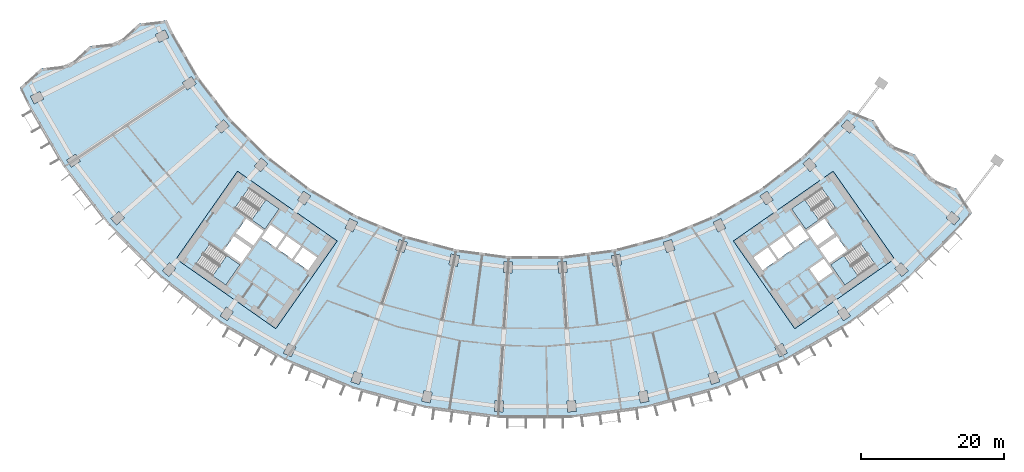
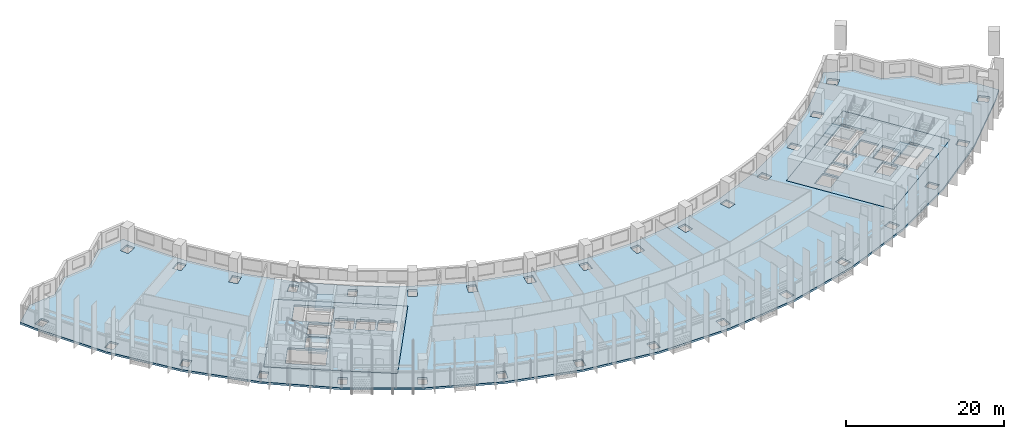
# One storey, part 2 of 30: 7 slabs, 4 elements without a shape of their own.
"""IFC4 building model written with IfcOpenShell, lengths in metres."""

from ifc_helpers import new_model, si_unit, direction, frame, origin, place, context, subcontext, project, spatial, polyline, outline, extrude, material, layer, layer_set, type_object, element, aggregate, save


model = new_model("IFC4")

# Units and contexts
model_context = context("Model", 3, precision=1e-05, world=origin(), true_north=direction((0.0, 1.0)))
body_context = subcontext(model_context, "Body", "Model", "MODEL_VIEW")
ifc_project = project(units=[si_unit("LENGTHUNIT", "METRE"), si_unit("AREAUNIT", "SQUARE_METRE"), si_unit("VOLUMEUNIT", "CUBIC_METRE"), si_unit("PLANEANGLEUNIT", "RADIAN"), si_unit("MASSUNIT", "GRAM", prefix="KILO")], contexts=[model_context])

# Site, building, storey
site_placement = place(None, origin())
site = spatial("IfcSite", under=ifc_project, at=site_placement, CompositionType="ELEMENT")
building_placement = place(site_placement, origin())
building = spatial("IfcBuilding", under=site, at=building_placement, Name="Qamariyya Broadcast Tower", CompositionType="ELEMENT")
storey_placement = place(building_placement, frame((0.0, 0.0, 110.10009765625)))
storey = spatial("IfcBuildingStorey", under=building, at=storey_placement, Name="L24", CompositionType="ELEMENT", Elevation=110.10009765625)

# Slabs
ifc_material_1 = material(Name="Concrete C40/50", Category="concrete")
ifc_layer_1 = layer(ifc_material_1, 0.300048828125)
ifc_layer_set_1 = layer_set([ifc_layer_1], Name="Core floor slab 300 mm Concrete C40/50")
slab_type_1 = type_object("IfcSlabType", Name="Core floor slab 300 mm Concrete C40/50", PredefinedType="FLOOR", material=ifc_layer_set_1)
slab_1_placement = place(storey_placement, frame((0.0, 0.0, -0.300048828125)))
element("IfcSlab", 1, at=slab_1_placement, inside=storey, type_object=slab_type_1, Name="k-W-L24-slab", PredefinedType="FLOOR", context=body_context, shape_type="SweptSolid", body=[
    extrude(outline(polyline([(-50.286376953125, -56.95751953125), (-36.32373046875, -66.734375), (-27.719970703125, -54.447021484375), (-41.6826171875, -44.67041015625), (-50.286376953125, -56.95751953125)]), holes=[polyline([(-31.80859375, -58.542724609375), (-33.8154296875, -57.137451171875), (-32.5537109375, -55.335205078125), (-30.546630859375, -56.740478515625), (-31.80859375, -58.542724609375)]), polyline([(-34.061279296875, -56.96533203125), (-36.068115234375, -55.56005859375), (-34.806396484375, -53.758056640625), (-32.79931640625, -55.163330078125), (-34.061279296875, -56.96533203125)]), polyline([(-36.31396484375, -55.387939453125), (-38.32080078125, -53.982666015625), (-37.058837890625, -52.1806640625), (-35.052001953125, -53.5859375), (-36.31396484375, -55.387939453125)]), polyline([(-39.742431640625, -55.489990234375), (-42.199951171875, -53.769287109375), (-43.6337890625, -55.817138671875), (-41.17626953125, -57.537841796875), (-39.742431640625, -55.489990234375)]), polyline([(-39.45556640625, -55.080322265625), (-41.9130859375, -53.359619140625), (-40.47900390625, -51.311767578125), (-38.021728515625, -53.032470703125), (-39.45556640625, -55.080322265625)]), polyline([(-42.06103515625, -49.837890625), (-37.849609375, -52.78662109375), (-35.870849609375, -49.960693359375), (-40.082275390625, -47.01171875), (-42.06103515625, -49.837890625)]), polyline([(-47.538818359375, -57.66064453125), (-43.3271484375, -60.609619140625), (-41.348388671875, -57.783447265625), (-45.559814453125, -54.834716796875), (-47.538818359375, -57.66064453125)])]), origin(), (0.0, 0.0, 1.0), 0.300048828125),
])
slab_2_placement = place(storey_placement, frame((0.0, 0.0, -0.300048828125)))
element("IfcSlab", 2, at=slab_2_placement, inside=storey, type_object=slab_type_1, Name="k-E-L24-slab", PredefinedType="FLOOR", context=body_context, shape_type="SweptSolid", body=[
    extrude(outline(polyline([(36.32373046875, -66.734375), (50.286376953125, -56.95751953125), (41.6826171875, -44.67041015625), (27.719970703125, -54.447021484375), (36.32373046875, -66.734375)]), holes=[polyline([(31.80859375, -58.542724609375), (33.8154296875, -57.137451171875), (32.5537109375, -55.335205078125), (30.546630859375, -56.740478515625), (31.80859375, -58.542724609375)]), polyline([(34.061279296875, -56.96533203125), (36.068115234375, -55.56005859375), (34.806396484375, -53.758056640625), (32.79931640625, -55.163330078125), (34.061279296875, -56.96533203125)]), polyline([(36.31396484375, -55.387939453125), (38.32080078125, -53.982666015625), (37.058837890625, -52.1806640625), (35.052001953125, -53.5859375), (36.31396484375, -55.387939453125)]), polyline([(38.378662109375, -58.3369140625), (40.3857421875, -56.931640625), (41.6474609375, -58.73388671875), (39.640625, -60.13916015625), (38.378662109375, -58.3369140625)]), polyline([(39.742431640625, -55.489990234375), (42.199951171875, -53.769287109375), (43.6337890625, -55.817138671875), (41.17626953125, -57.537841796875), (39.742431640625, -55.489990234375)]), polyline([(39.45556640625, -55.080322265625), (41.9130859375, -53.359619140625), (40.47900390625, -51.311767578125), (38.021728515625, -53.032470703125), (39.45556640625, -55.080322265625)]), polyline([(40.082275390625, -47.01171875), (35.870849609375, -49.960693359375), (37.849609375, -52.78662109375), (42.06103515625, -49.837890625), (40.082275390625, -47.01171875)]), polyline([(45.559814453125, -54.834716796875), (41.348388671875, -57.783447265625), (43.3271484375, -60.609619140625), (47.538818359375, -57.66064453125), (45.559814453125, -54.834716796875)])]), origin(), (0.0, 0.0, 1.0), 0.300048828125),
])
ifc_layer_2 = layer(ifc_material_1, 0.300048828125)
ifc_layer_set_2 = layer_set([ifc_layer_2], Name="Post-tensioned floor slab 300 C40/50")
slab_type_2 = type_object("IfcSlabType", Name="Post-tensioned floor slab 300 C40/50", PredefinedType="FLOOR", material=ifc_layer_set_2)
slab_3_placement = place(storey_placement, frame((0.0, 0.0, -0.300048828125)))
element("IfcSlab", 3, at=slab_3_placement, inside=storey, type_object=slab_type_2, Name="Floor slab S4 L24", PredefinedType="FLOOR", context=body_context, shape_type="SweptSolid", body=[
    extrude(outline(polyline([(-69.19775390625, -30.281005859375), (-72.13427734375, -32.941162109375), (-71.1220703125, -35.073486328125), (-65.935546875, -44.056640625), (-59.620849609375, -52.2861328125), (-52.2861328125, -59.620849609375), (-44.056640625, -65.935546875), (-35.073486328125, -71.1220703125), (-25.490234375, -75.091552734375), (-15.470703125, -77.7763671875), (-5.1865234375, -79.130126953125), (5.1865234375, -79.130126953125), (15.470703125, -77.7763671875), (25.490234375, -75.091552734375), (35.073486328125, -71.1220703125), (44.056640625, -65.935546875), (52.2861328125, -59.620849609375), (59.620849609375, -52.2861328125), (61.150634765625, -50.488525390625), (59.002685546875, -47.158935546875), (55.341552734375, -45.692138671875), (53.192626953125, -42.362060546875), (49.5322265625, -40.895751953125), (47.382568359375, -37.56494140625), (43.72314453125, -36.099609375), (42.62939453125, -37.385009765625), (37.385009765625, -42.62939453125), (31.500732421875, -47.144287109375), (25.077880859375, -50.852783203125), (18.2255859375, -53.69091796875), (11.0615234375, -55.610595703125), (3.708251953125, -56.57861328125), (-3.708251953125, -56.57861328125), (-11.0615234375, -55.610595703125), (-18.2255859375, -53.69091796875), (-25.077880859375, -50.852783203125), (-31.500732421875, -47.144287109375), (-37.385009765625, -42.62939453125), (-42.62939453125, -37.385009765625), (-47.144287109375, -31.500732421875), (-50.852783203125, -25.077880859375), (-51.57666015625, -23.55322265625), (-55.490478515625, -24.021240234375), (-58.42919921875, -26.682373046875), (-62.34423828125, -27.151123046875), (-65.28173828125, -29.811767578125), (-69.19775390625, -30.281005859375)]), holes=[polyline([(-5.73291015625, -78.292724609375), (-5.634765625, -76.7958984375), (-4.437255859375, -76.874267578125), (-4.535400390625, -78.37109375), (-5.73291015625, -78.292724609375)]), polyline([(-15.903076171875, -76.87451171875), (-15.6103515625, -75.4033203125), (-14.43359375, -75.637451171875), (-14.72607421875, -77.108642578125), (-15.903076171875, -76.87451171875)]), polyline([(-25.80126953125, -74.14111328125), (-25.319091796875, -72.720703125), (-24.1826171875, -73.1064453125), (-24.664794921875, -74.52685546875), (-25.80126953125, -74.14111328125)]), polyline([(-35.2578125, -70.13916015625), (-34.59423828125, -68.7939453125), (-33.51806640625, -69.324462890625), (-34.181640625, -70.669921875), (-35.2578125, -70.13916015625)]), polyline([(-44.111083984375, -64.93701171875), (-43.27783203125, -63.689697265625), (-42.280029296875, -64.3564453125), (-43.11328125, -65.603759765625), (-44.111083984375, -64.93701171875)]), polyline([(-52.209716796875, -58.623779296875), (-51.220703125, -57.49609375), (-50.318603515625, -58.287353515625), (-51.3076171875, -59.4150390625), (-52.209716796875, -58.623779296875)]), polyline([(-12.098876953125, -57.749267578125), (-11.80615234375, -56.278076171875), (-10.629150390625, -56.51220703125), (-10.921875, -57.9833984375), (-12.098876953125, -57.749267578125)]), polyline([(-41.6826171875, -44.67041015625), (-27.719970703125, -54.447021484375), (-36.32373046875, -66.734375), (-50.286376953125, -56.95751953125), (-41.6826171875, -44.67041015625)]), polyline([(-19.051025390625, -54.255615234375), (-17.91455078125, -54.641357421875), (-18.396728515625, -56.061767578125), (-19.533203125, -55.676025390625), (-19.051025390625, -54.255615234375)]), polyline([(-26.633056640625, -52.650146484375), (-25.9697265625, -51.3046875), (-24.8935546875, -51.83544921875), (-25.556884765625, -53.180908203125), (-26.633056640625, -52.650146484375)]), polyline([(-59.4150390625, -51.3076171875), (-58.287353515625, -50.318603515625), (-57.49609375, -51.220703125), (-58.623779296875, -52.209716796875), (-59.4150390625, -51.3076171875)]), polyline([(-33.277587890625, -48.723388671875), (-32.444091796875, -47.47607421875), (-31.4462890625, -48.142822265625), (-32.27978515625, -49.39013671875), (-33.277587890625, -48.723388671875)]), polyline([(-39.3525390625, -43.962890625), (-38.363525390625, -42.835205078125), (-37.461181640625, -43.62646484375), (-38.4501953125, -44.754150390625), (-39.3525390625, -43.962890625)]), polyline([(-65.603759765625, -43.11328125), (-64.3564453125, -42.280029296875), (-63.689697265625, -43.27783203125), (-64.93701171875, -44.111083984375), (-65.603759765625, -43.11328125)]), polyline([(-44.754150390625, -38.4501953125), (-43.62646484375, -37.461181640625), (-42.835205078125, -38.363525390625), (-43.962890625, -39.3525390625), (-44.754150390625, -38.4501953125)]), polyline([(-70.669921875, -34.181640625), (-69.324462890625, -33.51806640625), (-68.7939453125, -34.59423828125), (-70.13916015625, -35.2578125), (-70.669921875, -34.181640625)]), polyline([(-48.142822265625, -31.4462890625), (-47.47607421875, -32.444091796875), (-48.723388671875, -33.277587890625), (-49.39013671875, -32.27978515625), (-48.142822265625, -31.4462890625)]), polyline([(-51.83544921875, -24.8935546875), (-51.3046875, -25.9697265625), (-52.650146484375, -26.633056640625), (-53.180908203125, -25.556884765625), (-51.83544921875, -24.8935546875)]), polyline([(4.535400390625, -78.37109375), (4.437255859375, -76.874267578125), (5.634765625, -76.7958984375), (5.73291015625, -78.292724609375), (4.535400390625, -78.37109375)]), polyline([(14.72607421875, -77.108642578125), (14.43359375, -75.637451171875), (15.6103515625, -75.4033203125), (15.903076171875, -76.87451171875), (14.72607421875, -77.108642578125)]), polyline([(24.664794921875, -74.52685546875), (24.1826171875, -73.1064453125), (25.319091796875, -72.720703125), (25.80126953125, -74.14111328125), (24.664794921875, -74.52685546875)]), polyline([(34.181640625, -70.669921875), (33.51806640625, -69.324462890625), (34.59423828125, -68.7939453125), (35.2578125, -70.13916015625), (34.181640625, -70.669921875)]), polyline([(43.11328125, -65.603759765625), (42.280029296875, -64.3564453125), (43.27783203125, -63.689697265625), (44.111083984375, -64.93701171875), (43.11328125, -65.603759765625)]), polyline([(51.3076171875, -59.4150390625), (50.318603515625, -58.287353515625), (51.220703125, -57.49609375), (52.209716796875, -58.623779296875), (51.3076171875, -59.4150390625)]), polyline([(3.260009765625, -58.912841796875), (3.161865234375, -57.416015625), (4.359375, -57.337646484375), (4.45751953125, -58.83447265625), (3.260009765625, -58.912841796875)]), polyline([(-4.359375, -57.337646484375), (-3.161865234375, -57.416015625), (-3.260009765625, -58.912841796875), (-4.45751953125, -58.83447265625), (-4.359375, -57.337646484375)]), polyline([(10.629150390625, -56.51220703125), (11.80615234375, -56.278076171875), (12.098876953125, -57.749267578125), (10.921875, -57.9833984375), (10.629150390625, -56.51220703125)]), polyline([(36.32373046875, -66.734375), (27.719970703125, -54.447021484375), (41.6826171875, -44.67041015625), (50.286376953125, -56.95751953125), (36.32373046875, -66.734375)]), polyline([(18.396728515625, -56.061767578125), (17.91455078125, -54.641357421875), (19.051025390625, -54.255615234375), (19.533203125, -55.676025390625), (18.396728515625, -56.061767578125)]), polyline([(25.556884765625, -53.180908203125), (24.8935546875, -51.83544921875), (25.9697265625, -51.3046875), (26.633056640625, -52.650146484375), (25.556884765625, -53.180908203125)]), polyline([(58.623779296875, -52.209716796875), (57.49609375, -51.220703125), (58.287353515625, -50.318603515625), (59.4150390625, -51.3076171875), (58.623779296875, -52.209716796875)]), polyline([(32.27978515625, -49.39013671875), (31.4462890625, -48.142822265625), (32.444091796875, -47.47607421875), (33.277587890625, -48.723388671875), (32.27978515625, -49.39013671875)]), polyline([(38.4501953125, -44.754150390625), (37.461181640625, -43.62646484375), (38.363525390625, -42.835205078125), (39.3525390625, -43.962890625), (38.4501953125, -44.754150390625)]), polyline([(42.835205078125, -38.363525390625), (43.62646484375, -37.461181640625), (44.754150390625, -38.4501953125), (43.962890625, -39.3525390625), (42.835205078125, -38.363525390625)])]), origin(), (0.0, 0.0, 1.0), 0.300048828125),
])

# Stair, slab
ifc_material_2 = material(Name="Concrete C50/60", Category="concrete")
stair_type = type_object("IfcStairType", Name="Exit stair 22 risers of 173 mm", PredefinedType="HALF_TURN_STAIR", material=ifc_material_2)
stair_1_placement = place(storey_placement, origin())
stair_1 = element("IfcStair", 4, at=stair_1_placement, inside=storey, type_object=stair_type, Name="L24 Stair W2", PredefinedType="HALF_TURN_STAIR")
ifc_layer_3 = layer(ifc_material_2, 0.199951171875)
ifc_layer_set_3 = layer_set([ifc_layer_3], Name="Stair landing")
slab_type_3 = type_object("IfcSlabType", Name="Stair landing", PredefinedType="LANDING", material=ifc_layer_set_3)
slab_4_placement = place(storey_placement, frame((0.0, 0.0, 1.699951171875)))
slab_4 = element("IfcSlab", 5, at=slab_4_placement, type_object=slab_type_3, Name="ST-W2 landing 1", PredefinedType="LANDING", context=body_context, shape_type="SweptSolid", body=[
    extrude(outline(polyline([(-39.692138671875, -51.49658203125), (-37.849609375, -52.78662109375), (-35.870849609375, -49.960693359375), (-37.71337890625, -48.67041015625), (-39.692138671875, -51.49658203125)])), origin(), (0.0, 0.0, 1.0), 0.199951171875),
])
aggregate(stair_1, [slab_4])

stair_2_placement = place(storey_placement, origin())
stair_2 = element("IfcStair", 6, at=stair_2_placement, inside=storey, type_object=stair_type, Name="L24 Stair W1", PredefinedType="HALF_TURN_STAIR")
slab_5_placement = place(storey_placement, frame((0.0, 0.0, 1.699951171875)))
slab_5 = element("IfcSlab", 7, at=slab_5_placement, type_object=slab_type_3, Name="ST-W1 landing 1", PredefinedType="LANDING", context=body_context, shape_type="SweptSolid", body=[
    extrude(outline(polyline([(-45.169677734375, -59.319580078125), (-43.3271484375, -60.609619140625), (-41.348388671875, -57.783447265625), (-43.19091796875, -56.493408203125), (-45.169677734375, -59.319580078125)])), origin(), (0.0, 0.0, 1.0), 0.199951171875),
])
aggregate(stair_2, [slab_5])

stair_3_placement = place(storey_placement, origin())
stair_3 = element("IfcStair", 8, at=stair_3_placement, inside=storey, type_object=stair_type, Name="L24 Stair E2", PredefinedType="HALF_TURN_STAIR")
slab_6_placement = place(storey_placement, frame((0.0, 0.0, 1.699951171875)))
slab_6 = element("IfcSlab", 9, at=slab_6_placement, type_object=slab_type_3, Name="ST-E2 landing 1", PredefinedType="LANDING", context=body_context, shape_type="SweptSolid", body=[
    extrude(outline(polyline([(37.71337890625, -48.67041015625), (35.870849609375, -49.960693359375), (37.849609375, -52.78662109375), (39.692138671875, -51.49658203125), (37.71337890625, -48.67041015625)])), origin(), (0.0, 0.0, 1.0), 0.199951171875),
])
aggregate(stair_3, [slab_6])

stair_4_placement = place(storey_placement, origin())
stair_4 = element("IfcStair", 10, at=stair_4_placement, inside=storey, type_object=stair_type, Name="L24 Stair E1", PredefinedType="HALF_TURN_STAIR")
slab_7_placement = place(storey_placement, frame((0.0, 0.0, 1.699951171875)))
slab_7 = element("IfcSlab", 11, at=slab_7_placement, type_object=slab_type_3, Name="ST-E1 landing 1", PredefinedType="LANDING", context=body_context, shape_type="SweptSolid", body=[
    extrude(outline(polyline([(43.19091796875, -56.493408203125), (41.348388671875, -57.783447265625), (43.3271484375, -60.609619140625), (45.169677734375, -59.319580078125), (43.19091796875, -56.493408203125)])), origin(), (0.0, 0.0, 1.0), 0.199951171875),
])
aggregate(stair_4, [slab_7])

save(model, "model.ifc")
